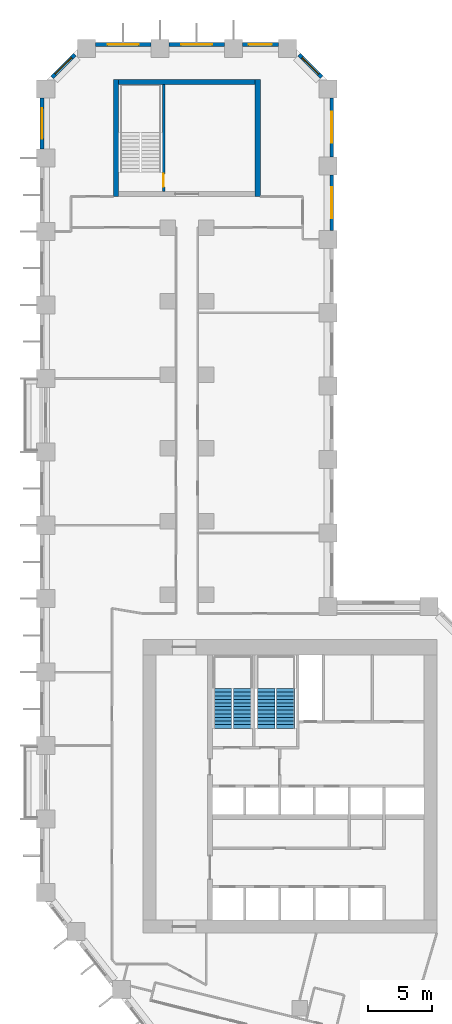
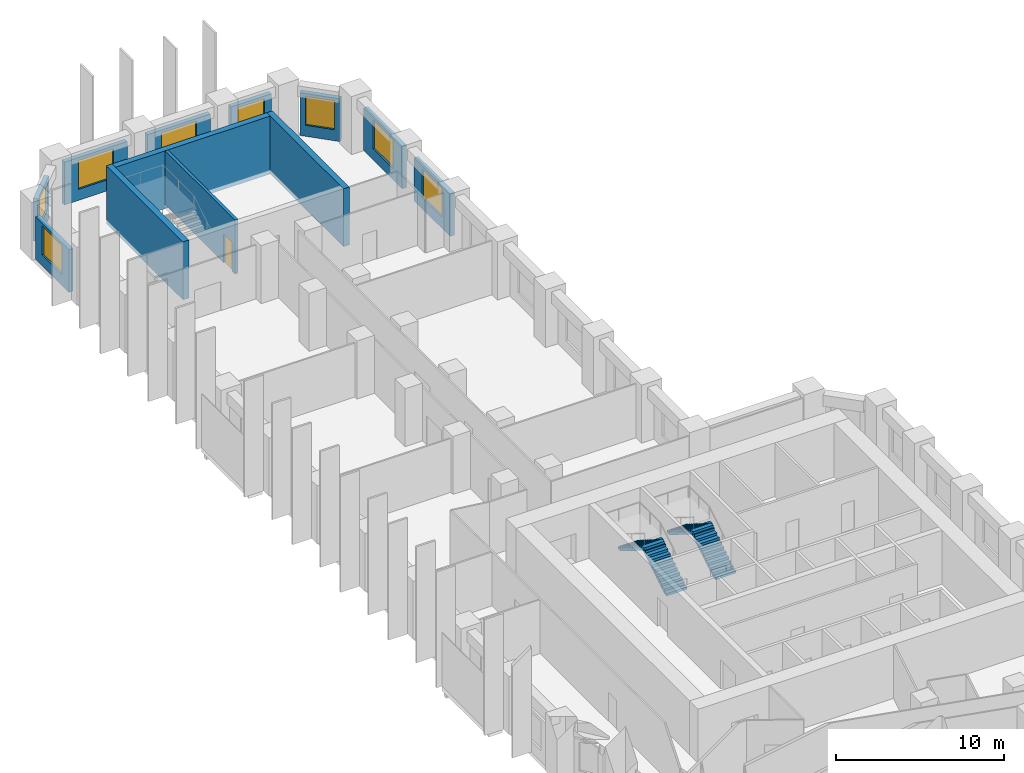
# One storey, part 10 of 12: 12 walls, 8 windows, 4 stair flights, 1 door, 9 openings, 2 elements without a shape of their own.
"""IFC4 building model written with IfcOpenShell, lengths in metres."""

from ifc_helpers import new_model, si_unit, direction, frame, frame_2d, origin, place, context, subcontext, project, spatial, polyline, rectangle, outline, extrude, material, layer, layer_set, type_object, element, fill, aggregate, save


model = new_model("IFC4")

# Units and contexts
model_context = context("Model", 3, precision=1e-05, world=origin(), true_north=direction((0.0, 1.0)))
body_context = subcontext(model_context, "Body", "Model", "MODEL_VIEW")
ifc_project = project(units=[si_unit("LENGTHUNIT", "METRE"), si_unit("AREAUNIT", "SQUARE_METRE"), si_unit("VOLUMEUNIT", "CUBIC_METRE"), si_unit("PLANEANGLEUNIT", "RADIAN"), si_unit("MASSUNIT", "GRAM", prefix="KILO")], contexts=[model_context])

# Site, building, storey
site_placement = place(None, origin())
site = spatial("IfcSite", under=ifc_project, at=site_placement, CompositionType="ELEMENT")
building_placement = place(site_placement, origin())
building = spatial("IfcBuilding", under=site, at=building_placement, Name="Meshkara Civic Tower", CompositionType="ELEMENT")
storey_placement = place(building_placement, frame((0.0, 0.0, 83.39990234375)))
storey = spatial("IfcBuildingStorey", under=building, at=storey_placement, Name="L18", CompositionType="ELEMENT", Elevation=83.39990234375)

# Wall, opening, window
ifc_material_1 = material(Name="Insulated infill panel with bronze anodised aluminium cladding", Category="aluminium")
ifc_layer_1 = layer(ifc_material_1, 0.300048828125)
ifc_layer_set_1 = layer_set([ifc_layer_1], Name="EXTERNAL INFILL WALL 300")
wall_type_1 = type_object("IfcWallType", Name="EXTERNAL INFILL WALL 300", PredefinedType="SOLIDWALL", material=ifc_layer_set_1)
wall_1_placement = place(storey_placement, frame((22.64990234375, 68.64990234375, 0.0), z_axis=(0.0, 0.0, 1.0), x_axis=(0.0, 1.0, 0.0)))
wall_1 = element("IfcWall", 1, at=wall_1_placement, inside=storey, type_object=wall_type_1, Name="External wall", PredefinedType="SOLIDWALL", context=body_context, shape_type="SweptSolid", body=[
    extrude(rectangle(XDim=4.300048828125, YDim=0.300048828125, at=frame_2d((2.14990234375, 0.0))), origin(), (0.0, 0.0, 1.0), 3.10009765625),
])
opening_1_placement = place(wall_1_placement, frame((0.949951171875, 0.0, 0.800048828125)))
opening_1 = element("IfcOpeningElement", 2, at=opening_1_placement, cuts=wall_1, Name="Opening W7", PredefinedType="OPENING", context=body_context, shape_type="SweptSolid", body=[
    extrude(rectangle(XDim=2.39990234375, YDim=2.10009765625, at=frame_2d((1.199951171875, 1.050048828125))), frame((0.0, 0.159912109375, 0.0), z_axis=(0.0, -1.0, 0.0), x_axis=(1.0, 0.0, 0.0)), (0.0, 0.0, 1.0), 0.320068359375),
])
ifc_material_2 = material(Name="Tinted double glazing", Category="glass")
window_type_1 = type_object("IfcWindowType", Name="WINDOW 2400x2100", PartitioningType="DOUBLE_PANEL_VERTICAL", PredefinedType="WINDOW", material=ifc_material_2)
window_1_placement = place(opening_1_placement, origin())
window_1 = element("IfcWindow", 3, at=window_1_placement, inside=storey, type_object=window_type_1, Name="Window", OverallHeight=2.10009765625, OverallWidth=2.39990234375, PartitioningType="DOUBLE_PANEL_VERTICAL", PredefinedType="WINDOW", context=body_context, shape_type="SweptSolid", body=[
    extrude(rectangle(XDim=2.39990234375, YDim=2.10009765625, at=frame_2d((1.199951171875, 1.050048828125))), frame((0.0, 0.030029296875, 0.0), z_axis=(0.0, -1.0, 0.0), x_axis=(1.0, 0.0, 0.0)), (0.0, 0.0, 1.0), 0.06005859375),
])
fill(opening_1, window_1)

wall_2_placement = place(storey_placement, frame((22.64990234375, 74.35009765625, 0.0), z_axis=(0.0, 0.0, 1.0), x_axis=(0.0, 1.0, 0.0)))
wall_2 = element("IfcWall", 4, at=wall_2_placement, inside=storey, type_object=wall_type_1, Name="External wall", PredefinedType="SOLIDWALL", context=body_context, shape_type="SweptSolid", body=[
    extrude(rectangle(XDim=4.56396484375, YDim=0.300048828125, at=frame_2d((2.281982421875, 0.0))), origin(), (0.0, 0.0, 1.0), 3.10009765625),
])
opening_2_placement = place(wall_2_placement, frame((1.08203125, 0.0, 0.800048828125)))
opening_2 = element("IfcOpeningElement", 5, at=opening_2_placement, cuts=wall_2, Name="Opening W7", PredefinedType="OPENING", context=body_context, shape_type="SweptSolid", body=[
    extrude(rectangle(XDim=2.39990234375, YDim=2.10009765625, at=frame_2d((1.199951171875, 1.050048828125))), frame((0.0, 0.159912109375, 0.0), z_axis=(0.0, -1.0, 0.0), x_axis=(1.0, 0.0, 0.0)), (0.0, 0.0, 1.0), 0.320068359375),
])
window_2_placement = place(opening_2_placement, origin())
window_2 = element("IfcWindow", 6, at=window_2_placement, inside=storey, type_object=window_type_1, Name="Window", OverallHeight=2.10009765625, OverallWidth=2.39990234375, PartitioningType="DOUBLE_PANEL_VERTICAL", PredefinedType="WINDOW", context=body_context, shape_type="SweptSolid", body=[
    extrude(rectangle(XDim=2.39990234375, YDim=2.10009765625, at=frame_2d((1.199951171875, 1.050048828125))), frame((0.0, 0.030029296875, 0.0), z_axis=(0.0, -1.0, 0.0), x_axis=(1.0, 0.0, 0.0)), (0.0, 0.0, 1.0), 0.06005859375),
])
fill(opening_2, window_2)

wall_3_placement = place(storey_placement, frame((21.862060546875, 80.52587890625, 0.0), z_axis=(0.0, 0.0, 1.0), x_axis=(-0.707106781187, 0.707106781187, 0.0)))
wall_3 = element("IfcWall", 7, at=wall_3_placement, inside=storey, type_object=wall_type_1, Name="External wall", PredefinedType="SOLIDWALL", context=body_context, shape_type="SweptSolid", body=[
    extrude(rectangle(XDim=2.4833984375, YDim=0.300048828125, at=frame_2d((1.24169921875, 0.0))), origin(), (0.0, 0.0, 1.0), 3.10009765625),
])
opening_3_placement = place(wall_3_placement, frame((0.342041015625, 0.0, 0.800048828125)))
opening_3 = element("IfcOpeningElement", 8, at=opening_3_placement, cuts=wall_3, Name="Opening W9", PredefinedType="OPENING", context=body_context, shape_type="SweptSolid", body=[
    extrude(rectangle(XDim=1.800048828125, YDim=2.10009765625, at=frame_2d((0.89990234375, 1.050048828125))), frame((0.0, 0.159912109375, 0.0), z_axis=(0.0, -1.0, 0.0), x_axis=(1.0, 0.0, 0.0)), (0.0, 0.0, 1.0), 0.320068359375),
])
ifc_material_3 = material(Name="Tinted double glazing", Category="glass")
window_type_2 = type_object("IfcWindowType", Name="WINDOW 1800x2100", PartitioningType="DOUBLE_PANEL_VERTICAL", PredefinedType="WINDOW", material=ifc_material_3)
window_3_placement = place(opening_3_placement, origin())
window_3 = element("IfcWindow", 9, at=window_3_placement, inside=storey, type_object=window_type_2, Name="Window", OverallHeight=2.10009765625, OverallWidth=1.800048828125, PartitioningType="DOUBLE_PANEL_VERTICAL", PredefinedType="WINDOW", context=body_context, shape_type="SweptSolid", body=[
    extrude(rectangle(XDim=1.800048828125, YDim=2.10009765625, at=frame_2d((0.89990234375, 1.050048828125))), frame((0.0, 0.030029296875, 0.0), z_axis=(0.0, -1.0, 0.0), x_axis=(1.0, 0.0, 0.0)), (0.0, 0.0, 1.0), 0.06005859375),
])
fill(opening_3, window_3)

wall_4_placement = place(storey_placement, frame((18.493896484375, 83.070068359375, 0.0), z_axis=(0.0, 0.0, 1.0), x_axis=(-1.0, 0.0, 0.0)))
wall_4 = element("IfcWall", 10, at=wall_4_placement, inside=storey, type_object=wall_type_1, Name="External wall", PredefinedType="SOLIDWALL", context=body_context, shape_type="SweptSolid", body=[
    extrude(rectangle(XDim=2.787841796875, YDim=0.300048828125, at=frame_2d((1.39404296875, 0.0))), origin(), (0.0, 0.0, 1.0), 3.10009765625),
])
opening_4_placement = place(wall_4_placement, frame((0.493896484375, 0.0, 0.800048828125)))
opening_4 = element("IfcOpeningElement", 11, at=opening_4_placement, cuts=wall_4, Name="Opening W9", PredefinedType="OPENING", context=body_context, shape_type="SweptSolid", body=[
    extrude(rectangle(XDim=1.800048828125, YDim=2.10009765625, at=frame_2d((0.89990234375, 1.050048828125))), frame((0.0, 0.159912109375, 0.0), z_axis=(0.0, -1.0, 0.0), x_axis=(1.0, 0.0, 0.0)), (0.0, 0.0, 1.0), 0.320068359375),
])
window_4_placement = place(opening_4_placement, origin())
window_4 = element("IfcWindow", 12, at=window_4_placement, inside=storey, type_object=window_type_2, Name="Window", OverallHeight=2.10009765625, OverallWidth=1.800048828125, PartitioningType="DOUBLE_PANEL_VERTICAL", PredefinedType="WINDOW", context=body_context, shape_type="SweptSolid", body=[
    extrude(rectangle(XDim=1.800048828125, YDim=2.10009765625, at=frame_2d((0.89990234375, 1.050048828125))), frame((0.0, 0.030029296875, 0.0), z_axis=(0.0, -1.0, 0.0), x_axis=(1.0, 0.0, 0.0)), (0.0, 0.0, 1.0), 0.06005859375),
])
fill(opening_4, window_4)

wall_5_placement = place(storey_placement, frame((14.305908203125, 83.070068359375, 0.0), z_axis=(0.0, 0.0, 1.0), x_axis=(-1.0, 0.0, 0.0)))
wall_5 = element("IfcWall", 13, at=wall_5_placement, inside=storey, type_object=wall_type_1, Name="External wall", PredefinedType="SOLIDWALL", context=body_context, shape_type="SweptSolid", body=[
    extrude(rectangle(XDim=4.2998046875, YDim=0.300048828125, at=frame_2d((2.14990234375, 0.0))), origin(), (0.0, 0.0, 1.0), 3.10009765625),
])
opening_5_placement = place(wall_5_placement, frame((0.949951171875, 0.0, 0.800048828125)))
opening_5 = element("IfcOpeningElement", 14, at=opening_5_placement, cuts=wall_5, Name="Opening W7", PredefinedType="OPENING", context=body_context, shape_type="SweptSolid", body=[
    extrude(rectangle(XDim=2.39990234375, YDim=2.10009765625, at=frame_2d((1.199951171875, 1.050048828125))), frame((0.0, 0.159912109375, 0.0), z_axis=(0.0, -1.0, 0.0), x_axis=(1.0, 0.0, 0.0)), (0.0, 0.0, 1.0), 0.320068359375),
])
window_5_placement = place(opening_5_placement, origin())
window_5 = element("IfcWindow", 15, at=window_5_placement, inside=storey, type_object=window_type_1, Name="Window", OverallHeight=2.10009765625, OverallWidth=2.39990234375, PartitioningType="DOUBLE_PANEL_VERTICAL", PredefinedType="WINDOW", context=body_context, shape_type="SweptSolid", body=[
    extrude(rectangle(XDim=2.39990234375, YDim=2.10009765625, at=frame_2d((1.199951171875, 1.050048828125))), frame((0.0, 0.030029296875, 0.0), z_axis=(0.0, -1.0, 0.0), x_axis=(1.0, 0.0, 0.0)), (0.0, 0.0, 1.0), 0.06005859375),
])
fill(opening_5, window_5)

wall_6_placement = place(storey_placement, frame((8.60595703125, 83.070068359375, 0.0), z_axis=(0.0, 0.0, 1.0), x_axis=(-1.0, 0.0, 0.0)))
wall_6 = element("IfcWall", 16, at=wall_6_placement, inside=storey, type_object=wall_type_1, Name="External wall", PredefinedType="SOLIDWALL", context=body_context, shape_type="SweptSolid", body=[
    extrude(rectangle(XDim=4.300048828125, YDim=0.300048828125, at=frame_2d((2.14990234375, 0.0))), origin(), (0.0, 0.0, 1.0), 3.10009765625),
])
opening_6_placement = place(wall_6_placement, frame((0.949951171875, 0.0, 0.800048828125)))
opening_6 = element("IfcOpeningElement", 17, at=opening_6_placement, cuts=wall_6, Name="Opening W7", PredefinedType="OPENING", context=body_context, shape_type="SweptSolid", body=[
    extrude(rectangle(XDim=2.39990234375, YDim=2.10009765625, at=frame_2d((1.199951171875, 1.050048828125))), frame((0.0, 0.159912109375, 0.0), z_axis=(0.0, -1.0, 0.0), x_axis=(1.0, 0.0, 0.0)), (0.0, 0.0, 1.0), 0.320068359375),
])
window_6_placement = place(opening_6_placement, origin())
window_6 = element("IfcWindow", 18, at=window_6_placement, inside=storey, type_object=window_type_1, Name="Window", OverallHeight=2.10009765625, OverallWidth=2.39990234375, PartitioningType="DOUBLE_PANEL_VERTICAL", PredefinedType="WINDOW", context=body_context, shape_type="SweptSolid", body=[
    extrude(rectangle(XDim=2.39990234375, YDim=2.10009765625, at=frame_2d((1.199951171875, 1.050048828125))), frame((0.0, 0.030029296875, 0.0), z_axis=(0.0, -1.0, 0.0), x_axis=(1.0, 0.0, 0.0)), (0.0, 0.0, 1.0), 0.06005859375),
])
fill(opening_6, window_6)

wall_7_placement = place(storey_placement, frame((2.694091796875, 82.281982421875, 0.0), z_axis=(0.0, 0.0, 1.0), x_axis=(-0.707106781187, -0.707106781187, 0.0)))
wall_7 = element("IfcWall", 19, at=wall_7_placement, inside=storey, type_object=wall_type_1, Name="External wall", PredefinedType="SOLIDWALL", context=body_context, shape_type="SweptSolid", body=[
    extrude(rectangle(XDim=2.4833984375, YDim=0.300048828125, at=frame_2d((1.24169921875, 0.0))), origin(), (0.0, 0.0, 1.0), 3.10009765625),
])
opening_7_placement = place(wall_7_placement, frame((0.342041015625, 0.0, 0.800048828125)))
opening_7 = element("IfcOpeningElement", 20, at=opening_7_placement, cuts=wall_7, Name="Opening W9", PredefinedType="OPENING", context=body_context, shape_type="SweptSolid", body=[
    extrude(rectangle(XDim=1.800048828125, YDim=2.10009765625, at=frame_2d((0.89990234375, 1.050048828125))), frame((0.0, 0.159912109375, 0.0), z_axis=(0.0, -1.0, 0.0), x_axis=(1.0, 0.0, 0.0)), (0.0, 0.0, 1.0), 0.320068359375),
])
window_7_placement = place(opening_7_placement, origin())
window_7 = element("IfcWindow", 21, at=window_7_placement, inside=storey, type_object=window_type_2, Name="Window", OverallHeight=2.10009765625, OverallWidth=1.800048828125, PartitioningType="DOUBLE_PANEL_VERTICAL", PredefinedType="WINDOW", context=body_context, shape_type="SweptSolid", body=[
    extrude(rectangle(XDim=1.800048828125, YDim=2.10009765625, at=frame_2d((0.89990234375, 1.050048828125))), frame((0.0, 0.030029296875, 0.0), z_axis=(0.0, -1.0, 0.0), x_axis=(1.0, 0.0, 0.0)), (0.0, 0.0, 1.0), 0.06005859375),
])
fill(opening_7, window_7)

wall_8_placement = place(storey_placement, frame((0.14990234375, 78.9140625, 0.0), z_axis=(0.0, 0.0, 1.0), x_axis=(0.0, -1.0, 0.0)))
wall_8 = element("IfcWall", 22, at=wall_8_placement, inside=storey, type_object=wall_type_1, Name="External wall", PredefinedType="SOLIDWALL", context=body_context, shape_type="SweptSolid", body=[
    extrude(rectangle(XDim=3.958984375, YDim=0.300048828125, at=frame_2d((1.9794921875, 0.0))), origin(), (0.0, 0.0, 1.0), 3.10009765625),
])
opening_8_placement = place(wall_8_placement, frame((0.780029296875, 0.0, 0.800048828125)))
opening_8 = element("IfcOpeningElement", 23, at=opening_8_placement, cuts=wall_8, Name="Opening W7", PredefinedType="OPENING", context=body_context, shape_type="SweptSolid", body=[
    extrude(rectangle(XDim=2.39990234375, YDim=2.10009765625, at=frame_2d((1.199951171875, 1.050048828125))), frame((0.0, 0.159912109375, 0.0), z_axis=(0.0, -1.0, 0.0), x_axis=(1.0, 0.0, 0.0)), (0.0, 0.0, 1.0), 0.320068359375),
])
window_8_placement = place(opening_8_placement, origin())
window_8 = element("IfcWindow", 24, at=window_8_placement, inside=storey, type_object=window_type_1, Name="Window", OverallHeight=2.10009765625, OverallWidth=2.39990234375, PartitioningType="DOUBLE_PANEL_VERTICAL", PredefinedType="WINDOW", context=body_context, shape_type="SweptSolid", body=[
    extrude(rectangle(XDim=2.39990234375, YDim=2.10009765625, at=frame_2d((1.199951171875, 1.050048828125))), frame((0.0, 0.030029296875, 0.0), z_axis=(0.0, -1.0, 0.0), x_axis=(1.0, 0.0, 0.0)), (0.0, 0.0, 1.0), 0.06005859375),
])
fill(opening_8, window_8)

# Walls
ifc_material_4 = material(Name="Concrete C80", Category="concrete")
ifc_layer_2 = layer(ifc_material_4, 0.39990234375)
ifc_layer_set_2 = layer_set([ifc_layer_2], Name="End core ring wall 400 C80")
wall_type_2 = type_object("IfcWallType", Name="End core ring wall 400 C80", PredefinedType="SHEAR", material=ifc_layer_set_2)
for number, where, z_axis, x_axis, name in (
    (25, (5.89990234375, 71.27001953125, -0.2998046875), (0.0, 0.0, 1.0), (0.0, 1.0, 0.0), "L18-C026"),
    (26, (16.89990234375, 71.27001953125, -0.2998046875), (0.0, 0.0, 1.0), (0.0, 1.0, 0.0), "L18-C027"),
):
    element("IfcWall", number, at=place(storey_placement, frame(where, z_axis=z_axis, x_axis=x_axis)), inside=storey, type_object=wall_type_2, Name=name, PredefinedType="SHEAR", context=body_context, shape_type="SweptSolid", body=[
        extrude(rectangle(XDim=9.10009765625, YDim=0.39990234375, at=frame_2d((4.550048828125, 0.0))), origin(), (0.0, 0.0, 1.0), 4.199951171875),
    ])
wall_9_placement = place(storey_placement, frame((6.10009765625, 80.169921875, -0.2998046875), z_axis=(0.0, 0.0, 1.0), x_axis=(1.0, 0.0, 0.0)))
element("IfcWall", 27, at=wall_9_placement, inside=storey, type_object=wall_type_2, Name="L18-C029", PredefinedType="SHEAR", context=body_context, shape_type="SweptSolid", body=[
    extrude(rectangle(XDim=10.599853515625, YDim=0.39990234375, at=frame_2d((5.2998046875, 0.0))), origin(), (0.0, 0.0, 1.0), 4.199951171875),
])

# Wall, opening, door
ifc_material_5 = material(Name="Concrete C40/50", Category="concrete")
ifc_layer_3 = layer(ifc_material_5, 0.199951171875)
ifc_layer_set_3 = layer_set([ifc_layer_3], Name="Stair enclosure wall 200 C40/50")
wall_type_3 = type_object("IfcWallType", Name="Stair enclosure wall 200 C40/50", PredefinedType="SOLIDWALL", material=ifc_layer_set_3)
wall_10_placement = place(storey_placement, frame((9.60009765625, 71.669921875, 0.0), z_axis=(0.0, 0.0, 1.0), x_axis=(0.0, 1.0, 0.0)))
wall_10 = element("IfcWall", 28, at=wall_10_placement, inside=storey, type_object=wall_type_3, Name="L18-C030", PredefinedType="SOLIDWALL", context=body_context, shape_type="SweptSolid", body=[
    extrude(rectangle(XDim=8.300048828125, YDim=0.199951171875, at=frame_2d((4.14990234375, 0.0))), origin(), (0.0, 0.0, 1.0), 3.900146484375),
])
opening_9_placement = place(wall_10_placement, frame((0.35009765625, 0.0, 0.0)))
opening_9 = element("IfcOpeningElement", 29, at=opening_9_placement, cuts=wall_10, Name="Opening L18-K101", PredefinedType="OPENING", context=body_context, shape_type="SweptSolid", body=[
    extrude(rectangle(XDim=1.0, YDim=2.10009765625, at=frame_2d((0.5, 1.050048828125))), frame((0.0, 0.10986328125, 0.0), z_axis=(0.0, -1.0, 0.0), x_axis=(1.0, 0.0, 0.0)), (0.0, 0.0, 1.0), 0.219970703125),
])
ifc_material_6 = material(Name="Fire-rated door leaf in steel frame", Category="steel")
door_type = type_object("IfcDoorType", Name="Stair door 1000 EI 120", OperationType="SINGLE_SWING_LEFT", PredefinedType="DOOR", material=ifc_material_6)
door_placement = place(opening_9_placement, origin())
door = element("IfcDoor", 30, at=door_placement, inside=storey, type_object=door_type, Name="L18-K101", OperationType="SINGLE_SWING_RIGHT", OverallHeight=2.10009765625, OverallWidth=1.0, PredefinedType="DOOR", context=body_context, shape_type="SweptSolid", body=[
    extrude(rectangle(XDim=1.0, YDim=2.10009765625, at=frame_2d((0.5, 1.050048828125))), frame((0.0, 0.02490234375, 0.0), z_axis=(0.0, -1.0, 0.0), x_axis=(1.0, 0.0, 0.0)), (0.0, 0.0, 1.0), 0.050048828125),
])
fill(opening_9, door)

# Stair, stair flights
ifc_material_7 = material(Name="Precast concrete C40/50", Category="concrete")
stair_type = type_object("IfcStairType", Name="Exit stair half-turn 24 risers precast", PredefinedType="HALF_TURN_STAIR", material=ifc_material_7)
stair_1_placement = place(storey_placement, origin())
stair_1 = element("IfcStair", 31, at=stair_1_placement, inside=storey, type_object=stair_type, Name="L18 exit stair 1", PredefinedType="HALF_TURN_STAIR")
ifc_material_8 = material(Name="Precast concrete C40/50", Category="concrete")
stair_flight_type = type_object("IfcStairFlightType", Name="Exit stair flight 12 risers precast", PredefinedType="STRAIGHT", material=ifc_material_8)
stair_flight_1_placement = place(storey_placement, frame((15.72509765625, 30.0, 0.0), z_axis=(0.0, 0.0, 1.0), x_axis=(0.0, 1.0, 0.0)))
stair_flight_1 = element("IfcStairFlight", 32, at=stair_flight_1_placement, type_object=stair_flight_type, Name="ST1 flight 1", NumberOfRisers=12, NumberOfTreads=11, PredefinedType="STRAIGHT", RiserHeight=0.175, TreadLength=0.28, context=body_context, shape_type="SweptSolid", body=[
    extrude(outline(polyline([(0.0, 0.0), (0.0, 0.175048828125), (0.280029296875, 0.175048828125), (0.280029296875, 0.35009765625), (0.56005859375, 0.35009765625), (0.56005859375, 0.52490234375), (0.840087890625, 0.52490234375), (0.840087890625, 0.699951171875), (1.1201171875, 0.699951171875), (1.1201171875, 0.875), (1.39990234375, 0.875), (1.39990234375, 1.050048828125), (1.679931640625, 1.050048828125), (1.679931640625, 1.22509765625), (1.9599609375, 1.22509765625), (1.9599609375, 1.39990234375), (2.239990234375, 1.39990234375), (2.239990234375, 1.574951171875), (2.52001953125, 1.574951171875), (2.52001953125, 1.75), (2.800048828125, 1.75), (2.800048828125, 1.925048828125), (3.080078125, 1.925048828125), (3.080078125, 2.10009765625), (3.080078125, 1.748291015625), (0.28271484375, 0.0), (0.0, 0.0)])), frame((0.0, 0.699951171875, 0.0), z_axis=(0.0, -1.0, 0.0), x_axis=(1.0, 0.0, 0.0)), (0.0, 0.0, 1.0), 1.39990234375),
])
stair_flight_2_placement = place(storey_placement, frame((14.175048828125, 33.080078125, 2.10009765625), z_axis=(0.0, 0.0, 1.0), x_axis=(0.0, -1.0, 0.0)))
stair_flight_2 = element("IfcStairFlight", 33, at=stair_flight_2_placement, type_object=stair_flight_type, Name="ST1 flight 2", NumberOfRisers=12, NumberOfTreads=11, PredefinedType="STRAIGHT", RiserHeight=0.175, TreadLength=0.28, context=body_context, shape_type="SweptSolid", body=[
    extrude(outline(polyline([(0.0, 0.0), (0.0, 0.175048828125), (0.280029296875, 0.175048828125), (0.280029296875, 0.35009765625), (0.56005859375, 0.35009765625), (0.56005859375, 0.52490234375), (0.840087890625, 0.52490234375), (0.840087890625, 0.699951171875), (1.1201171875, 0.699951171875), (1.1201171875, 0.875), (1.39990234375, 0.875), (1.39990234375, 1.050048828125), (1.679931640625, 1.050048828125), (1.679931640625, 1.22509765625), (1.9599609375, 1.22509765625), (1.9599609375, 1.39990234375), (2.239990234375, 1.39990234375), (2.239990234375, 1.574951171875), (2.52001953125, 1.574951171875), (2.52001953125, 1.75), (2.800048828125, 1.75), (2.800048828125, 1.925048828125), (3.080078125, 1.925048828125), (3.080078125, 2.10009765625), (3.080078125, 1.748291015625), (0.28271484375, 0.0), (0.0, 0.0)])), frame((0.0, 0.699951171875, 0.0), z_axis=(0.0, -1.0, 0.0), x_axis=(1.0, 0.0, 0.0)), (0.0, 0.0, 1.0), 1.39990234375),
])
aggregate(stair_1, [stair_flight_1, stair_flight_2])

stair_2_placement = place(storey_placement, origin())
stair_2 = element("IfcStair", 34, at=stair_2_placement, inside=storey, type_object=stair_type, Name="L18 exit stair 2", PredefinedType="HALF_TURN_STAIR")
stair_flight_3_placement = place(storey_placement, frame((19.074951171875, 30.0, 0.0), z_axis=(0.0, 0.0, 1.0), x_axis=(0.0, 1.0, 0.0)))
stair_flight_3 = element("IfcStairFlight", 35, at=stair_flight_3_placement, type_object=stair_flight_type, Name="ST2 flight 1", NumberOfRisers=12, NumberOfTreads=11, PredefinedType="STRAIGHT", RiserHeight=0.175, TreadLength=0.28, context=body_context, shape_type="SweptSolid", body=[
    extrude(outline(polyline([(0.0, 0.0), (0.0, 0.175048828125), (0.280029296875, 0.175048828125), (0.280029296875, 0.35009765625), (0.56005859375, 0.35009765625), (0.56005859375, 0.52490234375), (0.840087890625, 0.52490234375), (0.840087890625, 0.699951171875), (1.1201171875, 0.699951171875), (1.1201171875, 0.875), (1.39990234375, 0.875), (1.39990234375, 1.050048828125), (1.679931640625, 1.050048828125), (1.679931640625, 1.22509765625), (1.9599609375, 1.22509765625), (1.9599609375, 1.39990234375), (2.239990234375, 1.39990234375), (2.239990234375, 1.574951171875), (2.52001953125, 1.574951171875), (2.52001953125, 1.75), (2.800048828125, 1.75), (2.800048828125, 1.925048828125), (3.080078125, 1.925048828125), (3.080078125, 2.10009765625), (3.080078125, 1.748291015625), (0.28271484375, 0.0), (0.0, 0.0)])), frame((0.0, 0.699951171875, 0.0), z_axis=(0.0, -1.0, 0.0), x_axis=(1.0, 0.0, 0.0)), (0.0, 0.0, 1.0), 1.39990234375),
])
stair_flight_4_placement = place(storey_placement, frame((17.52490234375, 33.080078125, 2.10009765625), z_axis=(0.0, 0.0, 1.0), x_axis=(0.0, -1.0, 0.0)))
stair_flight_4 = element("IfcStairFlight", 36, at=stair_flight_4_placement, type_object=stair_flight_type, Name="ST2 flight 2", NumberOfRisers=12, NumberOfTreads=11, PredefinedType="STRAIGHT", RiserHeight=0.175, TreadLength=0.28, context=body_context, shape_type="SweptSolid", body=[
    extrude(outline(polyline([(0.0, 0.0), (0.0, 0.175048828125), (0.280029296875, 0.175048828125), (0.280029296875, 0.35009765625), (0.56005859375, 0.35009765625), (0.56005859375, 0.52490234375), (0.840087890625, 0.52490234375), (0.840087890625, 0.699951171875), (1.1201171875, 0.699951171875), (1.1201171875, 0.875), (1.39990234375, 0.875), (1.39990234375, 1.050048828125), (1.679931640625, 1.050048828125), (1.679931640625, 1.22509765625), (1.9599609375, 1.22509765625), (1.9599609375, 1.39990234375), (2.239990234375, 1.39990234375), (2.239990234375, 1.574951171875), (2.52001953125, 1.574951171875), (2.52001953125, 1.75), (2.800048828125, 1.75), (2.800048828125, 1.925048828125), (3.080078125, 1.925048828125), (3.080078125, 2.10009765625), (3.080078125, 1.748291015625), (0.28271484375, 0.0), (0.0, 0.0)])), frame((0.0, 0.699951171875, 0.0), z_axis=(0.0, -1.0, 0.0), x_axis=(1.0, 0.0, 0.0)), (0.0, 0.0, 1.0), 1.39990234375),
])
aggregate(stair_2, [stair_flight_3, stair_flight_4])

save(model, "model.ifc")
